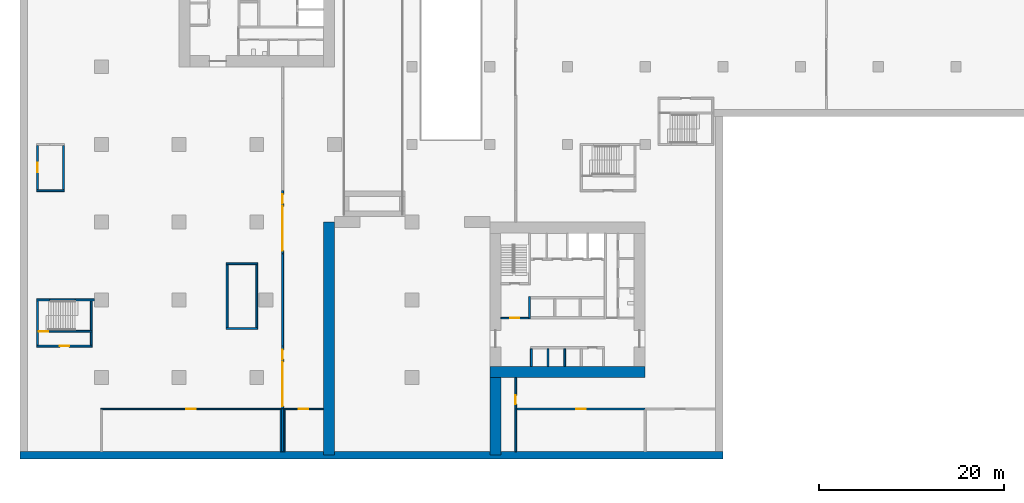
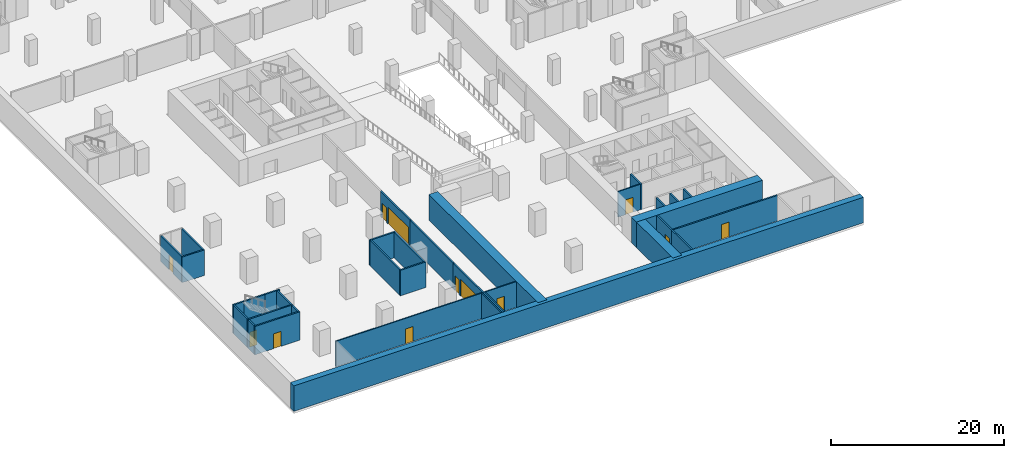
# One storey, part 3 of 18: 36 walls, 12 doors, 12 openings.
"""IFC4 building model written with IfcOpenShell, lengths in metres."""

from ifc_helpers import new_model, si_unit, direction, frame, frame_2d, origin, place, context, subcontext, project, spatial, rectangle, extrude, material, layer, layer_set, type_object, element, fill, save


model = new_model("IFC4")

# Units and contexts
model_context = context("Model", 3, precision=1e-05, world=origin(), true_north=direction((0.0, 1.0)))
body_context = subcontext(model_context, "Body", "Model", "MODEL_VIEW")
ifc_project = project(units=[si_unit("LENGTHUNIT", "METRE"), si_unit("AREAUNIT", "SQUARE_METRE"), si_unit("VOLUMEUNIT", "CUBIC_METRE"), si_unit("PLANEANGLEUNIT", "RADIAN"), si_unit("MASSUNIT", "GRAM", prefix="KILO")], contexts=[model_context])

# Site, building, storey
site_placement = place(None, origin())
site = spatial("IfcSite", under=ifc_project, at=site_placement, CompositionType="ELEMENT")
building_placement = place(site_placement, origin())
building = spatial("IfcBuilding", under=site, at=building_placement, Name="Vermilion Gate Residences", CompositionType="ELEMENT")
storey_placement = place(building_placement, frame((0.0, 0.0, -4.0)))
storey = spatial("IfcBuildingStorey", under=building, at=storey_placement, Name="B1", CompositionType="ELEMENT", Elevation=-4.0)

# Wall, opening, door
ifc_material_1 = material(Name="Masonry blockwork", Category="masonry")
ifc_layer_1 = layer(ifc_material_1, 0.14990234375)
ifc_layer_set_1 = layer_set([ifc_layer_1], Name="BLOCKWORK PARTITION 150 EI 120")
wall_type_1 = type_object("IfcWallType", Name="BLOCKWORK PARTITION 150 EI 120", PredefinedType="PARTITIONING", material=ifc_layer_set_1)
wall_1_placement = place(storey_placement, frame((43.199951171875, 14.824951171875, 0.0), z_axis=(0.0, 0.0, 1.0), x_axis=(1.0, 0.0, 0.0)))
wall_1 = element("IfcWall", 1, at=wall_1_placement, inside=storey, type_object=wall_type_1, Name="Core room partition AB1-VW-S", PredefinedType="PARTITIONING", context=body_context, shape_type="SweptSolid", body=[
    extrude(rectangle(XDim=3.0, YDim=0.14990234375, at=frame_2d((1.5, 0.0))), origin(), (0.0, 0.0, 1.0), 3.60009765625),
])
opening_1_placement = place(wall_1_placement, frame((1.0, 0.0, 0.0)))
opening_1 = element("IfcOpeningElement", 2, at=opening_1_placement, cuts=wall_1, Name="Opening DKB1008", PredefinedType="OPENING", context=body_context, shape_type="SweptSolid", body=[
    extrude(rectangle(XDim=1.0, YDim=2.10009765625, at=frame_2d((0.5, 1.050048828125))), frame((0.0, 0.0849609375, 0.0), z_axis=(0.0, -1.0, 0.0), x_axis=(1.0, 0.0, 0.0)), (0.0, 0.0, 1.0), 0.169921875),
])
ifc_material_2 = material(Name="Steel", Category="steel")
door_type_1 = type_object("IfcDoorType", Name="FIRE DOOR FD60 1000 X 2100", OperationType="SINGLE_SWING_LEFT", PredefinedType="DOOR", material=ifc_material_2)
door_1_placement = place(opening_1_placement, frame((1.0, 0.0, 0.0), z_axis=(0.0, 0.0, 1.0), x_axis=(-1.0, 0.0, 0.0)))
door_1 = element("IfcDoor", 3, at=door_1_placement, inside=storey, type_object=door_type_1, Name="Stair vestibule door AB1", OperationType="SINGLE_SWING_RIGHT", OverallHeight=2.10009765625, OverallWidth=1.0, PredefinedType="DOOR", context=body_context, shape_type="SweptSolid", body=[
    extrude(rectangle(XDim=1.0, YDim=2.10009765625, at=frame_2d((0.5, 1.050048828125))), frame((0.0, 0.02490234375, 0.0), z_axis=(0.0, -1.0, 0.0), x_axis=(1.0, 0.0, 0.0)), (0.0, 0.0, 1.0), 0.050048828125),
])
fill(opening_1, door_1)

ifc_material_3 = material(Name="Concrete blockwork", Category="masonry")
ifc_layer_2 = layer(ifc_material_3, 0.199951171875)
ifc_layer_set_2 = layer_set([ifc_layer_2], Name="FIRE WALL 200 EI 120 (AMENITY)")
wall_type_2 = type_object("IfcWallType", Name="FIRE WALL 200 EI 120 (AMENITY)", PredefinedType="PARTITIONING", material=ifc_layer_set_2)
wall_2_placement = place(storey_placement, frame((-6.89990234375, 28.699951171875, 0.0), z_axis=(0.0, 0.0, 1.0), x_axis=(0.0, 1.0, 0.0)))
wall_2 = element("IfcWall", 4, at=wall_2_placement, inside=storey, type_object=wall_type_2, Name="Fire-resisting wall 6", PredefinedType="PARTITIONING", context=body_context, shape_type="SweptSolid", body=[
    extrude(rectangle(XDim=4.800048828125, YDim=0.199951171875, at=frame_2d((2.39990234375, 0.0))), origin(), (0.0, 0.0, 1.0), 3.60009765625),
])
opening_2_placement = place(wall_2_placement, frame((1.89990234375, 0.0, 0.0)))
opening_2 = element("IfcOpeningElement", 5, at=opening_2_placement, cuts=wall_2, Name="Opening DMB1043", PredefinedType="OPENING", context=body_context, shape_type="SweptSolid", body=[
    extrude(rectangle(XDim=1.0, YDim=2.10009765625, at=frame_2d((0.5, 1.050048828125))), frame((0.0, 0.10986328125, 0.0), z_axis=(0.0, -1.0, 0.0), x_axis=(1.0, 0.0, 0.0)), (0.0, 0.0, 1.0), 0.219970703125),
])
ifc_material_4 = material(Name="Steel", Category="steel")
door_type_2 = type_object("IfcDoorType", Name="DOOR 1000 X 2100 FD60 (AMENITY)", OperationType="SINGLE_SWING_LEFT", PredefinedType="DOOR", material=ifc_material_4)
door_2_placement = place(opening_2_placement, origin())
door_2 = element("IfcDoor", 6, at=door_2_placement, inside=storey, type_object=door_type_2, Name="Door B1 43", OperationType="SINGLE_SWING_LEFT", OverallHeight=2.10009765625, OverallWidth=1.0, PredefinedType="DOOR", context=body_context, shape_type="SweptSolid", body=[
    extrude(rectangle(XDim=1.0, YDim=2.10009765625, at=frame_2d((0.5, 1.050048828125))), frame((0.0, 0.02490234375, 0.0), z_axis=(0.0, -1.0, 0.0), x_axis=(1.0, 0.0, 0.0)), (0.0, 0.0, 1.0), 0.050048828125),
])
fill(opening_2, door_2)

# Walls
wall_3_placement = place(storey_placement, frame((-7.0, 28.60009765625, 0.0), z_axis=(0.0, 0.0, 1.0), x_axis=(1.0, 0.0, 0.0)))
element("IfcWall", 7, at=wall_3_placement, inside=storey, type_object=wall_type_2, Name="Fire-resisting wall 7", PredefinedType="PARTITIONING", context=body_context, shape_type="SweptSolid", body=[
    extrude(rectangle(XDim=3.0, YDim=0.199951171875, at=frame_2d((1.5, 0.0))), origin(), (0.0, 0.0, 1.0), 3.60009765625),
])
wall_4_placement = place(storey_placement, frame((-4.10009765625, 28.699951171875, 0.0), z_axis=(0.0, 0.0, 1.0), x_axis=(0.0, 1.0, 0.0)))
element("IfcWall", 8, at=wall_4_placement, inside=storey, type_object=wall_type_2, Name="Fire-resisting wall 23", PredefinedType="PARTITIONING", context=body_context, shape_type="SweptSolid", body=[
    extrude(rectangle(XDim=4.800048828125, YDim=0.199951171875, at=frame_2d((2.39990234375, 0.0))), origin(), (0.0, 0.0, 1.0), 3.60009765625),
])

# Wall, opening, door
wall_5_placement = place(storey_placement, frame((44.89990234375, 5.0, 0.0), z_axis=(0.0, 0.0, 1.0), x_axis=(1.0, 0.0, 0.0)))
wall_5 = element("IfcWall", 9, at=wall_5_placement, inside=storey, type_object=wall_type_2, Name="Fire-resisting wall 65", PredefinedType="PARTITIONING", context=body_context, shape_type="SweptSolid", body=[
    extrude(rectangle(XDim=13.900146484375, YDim=0.199951171875, at=frame_2d((6.9501953125, 0.0))), origin(), (0.0, 0.0, 1.0), 3.60009765625),
])
opening_3_placement = place(wall_5_placement, frame((6.449951171875, 0.0, 0.0)))
opening_3 = element("IfcOpeningElement", 10, at=opening_3_placement, cuts=wall_5, Name="Opening DMB1003", PredefinedType="OPENING", context=body_context, shape_type="SweptSolid", body=[
    extrude(rectangle(XDim=1.0, YDim=2.10009765625, at=frame_2d((0.5, 1.050048828125))), frame((0.0, 0.10986328125, 0.0), z_axis=(0.0, -1.0, 0.0), x_axis=(1.0, 0.0, 0.0)), (0.0, 0.0, 1.0), 0.219970703125),
])
door_3_placement = place(opening_3_placement, origin())
door_3 = element("IfcDoor", 11, at=door_3_placement, inside=storey, type_object=door_type_2, Name="Door B1 3", OperationType="SINGLE_SWING_LEFT", OverallHeight=2.10009765625, OverallWidth=1.0, PredefinedType="DOOR", context=body_context, shape_type="SweptSolid", body=[
    extrude(rectangle(XDim=1.0, YDim=2.10009765625, at=frame_2d((0.5, 1.050048828125))), frame((0.0, 0.02490234375, 0.0), z_axis=(0.0, -1.0, 0.0), x_axis=(1.0, 0.0, 0.0)), (0.0, 0.0, 1.0), 0.050048828125),
])
fill(opening_3, door_3)

# Wall
ifc_material_5 = material(Name="Concrete blockwork", Category="masonry")
ifc_layer_3 = layer(ifc_material_5, 0.199951171875)
ifc_layer_set_3 = layer_set([ifc_layer_3], Name="GARAGE FIRE WALL 200 EI 120 (AMENITY)")
wall_type_3 = type_object("IfcWallType", Name="GARAGE FIRE WALL 200 EI 120 (AMENITY)", PredefinedType="PARTITIONING", material=ifc_layer_set_3)
wall_6_placement = place(storey_placement, frame((19.60009765625, 0.39990234375, 0.0), z_axis=(0.0, 0.0, 1.0), x_axis=(0.0, 1.0, 0.0)))
element("IfcWall", 12, at=wall_6_placement, inside=storey, type_object=wall_type_3, Name="Fire compartment wall", PredefinedType="PARTITIONING", context=body_context, shape_type="SweptSolid", body=[
    extrude(rectangle(XDim=4.60009765625, YDim=0.199951171875, at=frame_2d((2.300048828125, 0.0))), origin(), (0.0, 0.0, 1.0), 3.60009765625),
])

# Wall, openings, doors
wall_7_placement = place(storey_placement, frame((19.60009765625, 5.0, 0.0), z_axis=(0.0, 0.0, 1.0), x_axis=(0.0, 1.0, 0.0)))
wall_7 = element("IfcWall", 13, at=wall_7_placement, inside=storey, type_object=wall_type_3, Name="Fire compartment wall", PredefinedType="PARTITIONING", context=body_context, shape_type="SweptSolid", body=[
    extrude(rectangle(XDim=6.800048828125, YDim=0.199951171875, at=frame_2d((3.39990234375, 0.0))), origin(), (0.0, 0.0, 1.0), 3.60009765625),
])
opening_4_placement = place(wall_7_placement, frame((0.300048828125, 0.0, 0.0)))
opening_4 = element("IfcOpeningElement", 14, at=opening_4_placement, cuts=wall_7, Name="Opening DGB1001", PredefinedType="OPENING", context=body_context, shape_type="SweptSolid", body=[
    extrude(rectangle(XDim=4.800048828125, YDim=2.39990234375, at=frame_2d((2.39990234375, 1.199951171875))), frame((0.0, 0.10986328125, 0.0), z_axis=(0.0, -1.0, 0.0), x_axis=(1.0, 0.0, 0.0)), (0.0, 0.0, 1.0), 0.219970703125),
])
opening_5_placement = place(wall_7_placement, frame((5.39990234375, 0.0, 0.0)))
opening_5 = element("IfcOpeningElement", 15, at=opening_5_placement, cuts=wall_7, Name="Opening DGB1002", PredefinedType="OPENING", context=body_context, shape_type="SweptSolid", body=[
    extrude(rectangle(XDim=1.0, YDim=2.10009765625, at=frame_2d((0.5, 1.050048828125))), frame((0.0, 0.10986328125, 0.0), z_axis=(0.0, -1.0, 0.0), x_axis=(1.0, 0.0, 0.0)), (0.0, 0.0, 1.0), 0.219970703125),
])
ifc_material_6 = material(Name="Steel", Category="steel")
door_type_3 = type_object("IfcDoorType", Name="DOOR 1000 X 2100 FD120 (AMENITY)", OperationType="SINGLE_SWING_LEFT", PredefinedType="DOOR", material=ifc_material_6)
door_4_placement = place(opening_5_placement, origin())
door_4 = element("IfcDoor", 16, at=door_4_placement, inside=storey, type_object=door_type_3, Name="Fire door", OperationType="SINGLE_SWING_LEFT", OverallHeight=2.10009765625, OverallWidth=1.0, PredefinedType="DOOR", context=body_context, shape_type="SweptSolid", body=[
    extrude(rectangle(XDim=1.0, YDim=2.10009765625, at=frame_2d((0.5, 1.050048828125))), frame((0.0, 0.02490234375, 0.0), z_axis=(0.0, -1.0, 0.0), x_axis=(1.0, 0.0, 0.0)), (0.0, 0.0, 1.0), 0.050048828125),
])
fill(opening_5, door_4)
ifc_material_7 = material(Name="Steel", Category="steel")
door_type_4 = type_object("IfcDoorType", Name="FIRE SHUTTER 4800 X 2400 (AMENITY)", OperationType="ROLLINGUP", PredefinedType="GATE", material=ifc_material_7)
door_5_placement = place(opening_4_placement, origin())
door_5 = element("IfcDoor", 17, at=door_5_placement, inside=storey, type_object=door_type_4, Name="Fire shutter", OperationType="ROLLINGUP", OverallHeight=2.39990234375, OverallWidth=4.800048828125, PredefinedType="GATE", context=body_context, shape_type="SweptSolid", body=[
    extrude(rectangle(XDim=4.800048828125, YDim=2.39990234375, at=frame_2d((2.39990234375, 1.199951171875))), frame((0.0, 0.02490234375, 0.0), z_axis=(0.0, -1.0, 0.0), x_axis=(1.0, 0.0, 0.0)), (0.0, 0.0, 1.0), 0.050048828125),
])
fill(opening_4, door_5)

# Wall
wall_8_placement = place(storey_placement, frame((19.60009765625, 11.800048828125, 0.0), z_axis=(0.0, 0.0, 1.0), x_axis=(0.0, 1.0, 0.0)))
element("IfcWall", 18, at=wall_8_placement, inside=storey, type_object=wall_type_3, Name="Fire compartment wall", PredefinedType="PARTITIONING", context=body_context, shape_type="SweptSolid", body=[
    extrude(rectangle(XDim=10.0, YDim=0.199951171875, at=frame_2d((5.0, 0.0))), origin(), (0.0, 0.0, 1.0), 3.60009765625),
])

# Wall, openings, doors
wall_9_placement = place(storey_placement, frame((19.60009765625, 21.800048828125, 0.0), z_axis=(0.0, 0.0, 1.0), x_axis=(0.0, 1.0, 0.0)))
wall_9 = element("IfcWall", 19, at=wall_9_placement, inside=storey, type_object=wall_type_3, Name="Fire compartment wall", PredefinedType="PARTITIONING", context=body_context, shape_type="SweptSolid", body=[
    extrude(rectangle(XDim=6.800048828125, YDim=0.199951171875, at=frame_2d((3.39990234375, 0.0))), origin(), (0.0, 0.0, 1.0), 3.60009765625),
])
opening_6_placement = place(wall_9_placement, frame((0.300048828125, 0.0, 0.0)))
opening_6 = element("IfcOpeningElement", 20, at=opening_6_placement, cuts=wall_9, Name="Opening DGB1003", PredefinedType="OPENING", context=body_context, shape_type="SweptSolid", body=[
    extrude(rectangle(XDim=4.800048828125, YDim=2.39990234375, at=frame_2d((2.39990234375, 1.199951171875))), frame((0.0, 0.10986328125, 0.0), z_axis=(0.0, -1.0, 0.0), x_axis=(1.0, 0.0, 0.0)), (0.0, 0.0, 1.0), 0.219970703125),
])
opening_7_placement = place(wall_9_placement, frame((5.39990234375, 0.0, 0.0)))
opening_7 = element("IfcOpeningElement", 21, at=opening_7_placement, cuts=wall_9, Name="Opening DGB1004", PredefinedType="OPENING", context=body_context, shape_type="SweptSolid", body=[
    extrude(rectangle(XDim=1.0, YDim=2.10009765625, at=frame_2d((0.5, 1.050048828125))), frame((0.0, 0.10986328125, 0.0), z_axis=(0.0, -1.0, 0.0), x_axis=(1.0, 0.0, 0.0)), (0.0, 0.0, 1.0), 0.219970703125),
])
door_6_placement = place(opening_7_placement, origin())
door_6 = element("IfcDoor", 22, at=door_6_placement, inside=storey, type_object=door_type_3, Name="Fire door", OperationType="SINGLE_SWING_LEFT", OverallHeight=2.10009765625, OverallWidth=1.0, PredefinedType="DOOR", context=body_context, shape_type="SweptSolid", body=[
    extrude(rectangle(XDim=1.0, YDim=2.10009765625, at=frame_2d((0.5, 1.050048828125))), frame((0.0, 0.02490234375, 0.0), z_axis=(0.0, -1.0, 0.0), x_axis=(1.0, 0.0, 0.0)), (0.0, 0.0, 1.0), 0.050048828125),
])
fill(opening_7, door_6)
door_7_placement = place(opening_6_placement, origin())
door_7 = element("IfcDoor", 23, at=door_7_placement, inside=storey, type_object=door_type_4, Name="Fire shutter", OperationType="ROLLINGUP", OverallHeight=2.39990234375, OverallWidth=4.800048828125, PredefinedType="GATE", context=body_context, shape_type="SweptSolid", body=[
    extrude(rectangle(XDim=4.800048828125, YDim=2.39990234375, at=frame_2d((2.39990234375, 1.199951171875))), frame((0.0, 0.02490234375, 0.0), z_axis=(0.0, -1.0, 0.0), x_axis=(1.0, 0.0, 0.0)), (0.0, 0.0, 1.0), 0.050048828125),
])
fill(opening_6, door_7)

# Wall
wall_10_placement = place(storey_placement, frame((44.800048828125, 0.39990234375, 0.0), z_axis=(0.0, 0.0, 1.0), x_axis=(0.0, 1.0, 0.0)))
element("IfcWall", 24, at=wall_10_placement, inside=storey, type_object=wall_type_3, Name="Fire compartment wall", PredefinedType="PARTITIONING", context=body_context, shape_type="SweptSolid", body=[
    extrude(rectangle(XDim=4.60009765625, YDim=0.199951171875, at=frame_2d((2.300048828125, 0.0))), origin(), (0.0, 0.0, 1.0), 3.60009765625),
])

# Wall, opening, door
wall_11_placement = place(storey_placement, frame((44.800048828125, 5.0, 0.0), z_axis=(0.0, 0.0, 1.0), x_axis=(0.0, 1.0, 0.0)))
wall_11 = element("IfcWall", 25, at=wall_11_placement, inside=storey, type_object=wall_type_3, Name="Fire compartment wall", PredefinedType="PARTITIONING", context=body_context, shape_type="SweptSolid", body=[
    extrude(rectangle(XDim=3.39990234375, YDim=0.199951171875, at=frame_2d((1.699951171875, 0.0))), origin(), (0.0, 0.0, 1.0), 3.60009765625),
])
opening_8_placement = place(wall_11_placement, frame((0.5, 0.0, 0.0)))
opening_8 = element("IfcOpeningElement", 26, at=opening_8_placement, cuts=wall_11, Name="Opening DGB1090", PredefinedType="OPENING", context=body_context, shape_type="SweptSolid", body=[
    extrude(rectangle(XDim=1.0, YDim=2.10009765625, at=frame_2d((0.5, 1.050048828125))), frame((0.0, 0.10986328125, 0.0), z_axis=(0.0, -1.0, 0.0), x_axis=(1.0, 0.0, 0.0)), (0.0, 0.0, 1.0), 0.219970703125),
])
door_8_placement = place(opening_8_placement, origin())
door_8 = element("IfcDoor", 27, at=door_8_placement, inside=storey, type_object=door_type_3, Name="Fire door", OperationType="SINGLE_SWING_RIGHT", OverallHeight=2.10009765625, OverallWidth=1.0, PredefinedType="DOOR", context=body_context, shape_type="SweptSolid", body=[
    extrude(rectangle(XDim=1.0, YDim=2.10009765625, at=frame_2d((0.5, 1.050048828125))), frame((0.0, 0.02490234375, 0.0), z_axis=(0.0, -1.0, 0.0), x_axis=(1.0, 0.0, 0.0)), (0.0, 0.0, 1.0), 0.050048828125),
])
fill(opening_8, door_8)

ifc_material_8 = material(Name="Gypsum board on steel studs", Category="steel")
ifc_layer_4 = layer(ifc_material_8, 0.14990234375)
ifc_layer_set_4 = layer_set([ifc_layer_4], Name="PARTITION 150 EI 60 (AMENITY)")
wall_type_4 = type_object("IfcWallType", Name="PARTITION 150 EI 60 (AMENITY)", PredefinedType="PARTITIONING", material=ifc_layer_set_4)
wall_12_placement = place(storey_placement, frame((-0.074951171875, 5.0, 0.0), z_axis=(0.0, 0.0, 1.0), x_axis=(1.0, 0.0, 0.0)))
wall_12 = element("IfcWall", 28, at=wall_12_placement, inside=storey, type_object=wall_type_4, Name="Partition 34", PredefinedType="PARTITIONING", context=body_context, shape_type="SweptSolid", body=[
    extrude(rectangle(XDim=19.550048828125, YDim=0.14990234375, at=frame_2d((9.77490234375, 0.0))), origin(), (0.0, 0.0, 1.0), 3.60009765625),
])
opening_9_placement = place(wall_12_placement, frame((9.27490234375, 0.0, 0.0)))
opening_9 = element("IfcOpeningElement", 29, at=opening_9_placement, cuts=wall_12, Name="Opening DMB1001", PredefinedType="OPENING", context=body_context, shape_type="SweptSolid", body=[
    extrude(rectangle(XDim=1.0, YDim=2.10009765625, at=frame_2d((0.5, 1.050048828125))), frame((0.0, 0.0849609375, 0.0), z_axis=(0.0, -1.0, 0.0), x_axis=(1.0, 0.0, 0.0)), (0.0, 0.0, 1.0), 0.169921875),
])
ifc_material_9 = material(Name="Steel", Category="steel")
door_type_5 = type_object("IfcDoorType", Name="DOOR 1000 X 2100 FD30 (AMENITY)", OperationType="SINGLE_SWING_LEFT", PredefinedType="DOOR", material=ifc_material_9)
door_9_placement = place(opening_9_placement, frame((1.0, 0.0, 0.0), z_axis=(0.0, 0.0, 1.0), x_axis=(-1.0, 0.0, 0.0)))
door_9 = element("IfcDoor", 30, at=door_9_placement, inside=storey, type_object=door_type_5, Name="Door B1 1", OperationType="SINGLE_SWING_RIGHT", OverallHeight=2.10009765625, OverallWidth=1.0, PredefinedType="DOOR", context=body_context, shape_type="SweptSolid", body=[
    extrude(rectangle(XDim=1.0, YDim=2.10009765625, at=frame_2d((0.5, 1.050048828125))), frame((0.0, 0.02490234375, 0.0), z_axis=(0.0, -1.0, 0.0), x_axis=(1.0, 0.0, 0.0)), (0.0, 0.0, 1.0), 0.050048828125),
])
fill(opening_9, door_9)

# Walls
for number, where, z_axis, x_axis, name in (
    (31, (19.39990234375, 0.39990234375, 0.0), (0.0, 0.0, 1.0), (0.0, 1.0, 0.0), "Partition 49"),
    (32, (19.800048828125, 0.39990234375, 0.0), (0.0, 0.0, 1.0), (0.0, 1.0, 0.0), "Partition 50"),
):
    element("IfcWall", number, at=place(storey_placement, frame(where, z_axis=z_axis, x_axis=x_axis)), inside=storey, type_object=wall_type_4, Name=name, PredefinedType="PARTITIONING", context=body_context, shape_type="SweptSolid", body=[
        extrude(rectangle(XDim=4.525146484375, YDim=0.14990234375, at=frame_2d((2.2626953125, 0.0))), origin(), (0.0, 0.0, 1.0), 3.60009765625),
    ])

# Wall, opening, door
wall_13_placement = place(storey_placement, frame((19.72509765625, 5.0, 0.0), z_axis=(0.0, 0.0, 1.0), x_axis=(1.0, 0.0, 0.0)))
wall_13 = element("IfcWall", 33, at=wall_13_placement, inside=storey, type_object=wall_type_4, Name="Partition 51", PredefinedType="PARTITIONING", context=body_context, shape_type="SweptSolid", body=[
    extrude(rectangle(XDim=4.27490234375, YDim=0.14990234375, at=frame_2d((2.137451171875, 0.0))), origin(), (0.0, 0.0, 1.0), 3.60009765625),
])
opening_10_placement = place(wall_13_placement, frame((1.637451171875, 0.0, 0.0)))
opening_10 = element("IfcOpeningElement", 34, at=opening_10_placement, cuts=wall_13, Name="Opening DMB1002", PredefinedType="OPENING", context=body_context, shape_type="SweptSolid", body=[
    extrude(rectangle(XDim=1.0, YDim=2.10009765625, at=frame_2d((0.5, 1.050048828125))), frame((0.0, 0.0849609375, 0.0), z_axis=(0.0, -1.0, 0.0), x_axis=(1.0, 0.0, 0.0)), (0.0, 0.0, 1.0), 0.169921875),
])
door_10_placement = place(opening_10_placement, frame((1.0, 0.0, 0.0), z_axis=(0.0, 0.0, 1.0), x_axis=(-1.0, 0.0, 0.0)))
door_10 = element("IfcDoor", 35, at=door_10_placement, inside=storey, type_object=door_type_5, Name="Door B1 2", OperationType="SINGLE_SWING_RIGHT", OverallHeight=2.10009765625, OverallWidth=1.0, PredefinedType="DOOR", context=body_context, shape_type="SweptSolid", body=[
    extrude(rectangle(XDim=1.0, YDim=2.10009765625, at=frame_2d((0.5, 1.050048828125))), frame((0.0, 0.02490234375, 0.0), z_axis=(0.0, -1.0, 0.0), x_axis=(1.0, 0.0, 0.0)), (0.0, 0.0, 1.0), 0.050048828125),
])
fill(opening_10, door_10)

# Walls
ifc_material_10 = material(Name="Concrete C60", Category="concrete")
ifc_layer_5 = layer(ifc_material_10, 0.199951171875)
ifc_layer_set_5 = layer_set([ifc_layer_5], Name="RC CORE INTERNAL WALL 200 C60")
wall_type_5 = type_object("IfcWallType", Name="RC CORE INTERNAL WALL 200 C60", PredefinedType="SHEAR", material=ifc_layer_set_5)
for number, where, z_axis, x_axis, name in (
    (36, (46.5, 9.60009765625, 0.0), (0.0, 0.0, 1.0), (0.0, 1.0, 0.0), "Core internal wall AB1-LR-D0"),
    (37, (48.300048828125, 9.60009765625, 0.0), (0.0, 0.0, 1.0), (0.0, 1.0, 0.0), "Core internal wall AB1-LR-D1"),
    (38, (50.10009765625, 9.60009765625, 0.0), (0.0, 0.0, 1.0), (0.0, 1.0, 0.0), "Core internal wall AB1-LR-D2"),
):
    element("IfcWall", number, at=place(storey_placement, frame(where, z_axis=z_axis, x_axis=x_axis)), inside=storey, type_object=wall_type_5, Name=name, PredefinedType="SHEAR", context=body_context, shape_type="SweptSolid", body=[
        extrude(rectangle(XDim=1.89990234375, YDim=0.199951171875, at=frame_2d((0.949951171875, 0.0))), origin(), (0.0, 0.0, 1.0), 3.60009765625),
    ])
wall_14_placement = place(storey_placement, frame((46.300048828125, 14.75, 0.0), z_axis=(0.0, 0.0, 1.0), x_axis=(0.0, 1.0, 0.0)))
element("IfcWall", 39, at=wall_14_placement, inside=storey, type_object=wall_type_5, Name="Core internal wall AB1-WDIV1", PredefinedType="SHEAR", context=body_context, shape_type="SweptSolid", body=[
    extrude(rectangle(XDim=2.39990234375, YDim=0.199951171875, at=frame_2d((1.199951171875, 0.0))), origin(), (0.0, 0.0, 1.0), 3.60009765625),
])
for number, where, z_axis, x_axis, name in (
    (40, (13.60009765625, 13.800048828125, 0.0), (0.0, 0.0, 1.0), (0.0, 1.0, 0.0), "Apex stair wall W B1"),
    (41, (16.800048828125, 13.800048828125, 0.0), (0.0, 0.0, 1.0), (0.0, 1.0, 0.0), "Apex stair wall E B1"),
):
    element("IfcWall", number, at=place(storey_placement, frame(where, z_axis=z_axis, x_axis=x_axis)), inside=storey, type_object=wall_type_5, Name=name, PredefinedType="SHEAR", context=body_context, shape_type="SweptSolid", body=[
        extrude(rectangle(XDim=6.800048828125, YDim=0.199951171875, at=frame_2d((3.39990234375, 0.0))), origin(), (0.0, 0.0, 1.0), 3.60009765625),
    ])
for number, where, z_axis, x_axis, name in (
    (42, (13.5, 13.699951171875, 0.0), (0.0, 0.0, 1.0), (1.0, 0.0, 0.0), "Apex stair wall S B1"),
    (43, (13.5, 20.699951171875, 0.0), (0.0, 0.0, 1.0), (1.0, 0.0, 0.0), "Apex stair wall N B1"),
):
    element("IfcWall", number, at=place(storey_placement, frame(where, z_axis=z_axis, x_axis=x_axis)), inside=storey, type_object=wall_type_5, Name=name, PredefinedType="SHEAR", context=body_context, shape_type="SweptSolid", body=[
        extrude(rectangle(XDim=3.39990234375, YDim=0.199951171875, at=frame_2d((1.699951171875, 0.0))), origin(), (0.0, 0.0, 1.0), 3.60009765625),
    ])
ifc_material_11 = material(Name="Concrete C80", Category="concrete")
ifc_layer_6 = layer(ifc_material_11, 1.199951171875)
ifc_layer_set_6 = layer_set([ifc_layer_6], Name="RC CORE WALL 1200 C80")
wall_type_6 = type_object("IfcWallType", Name="RC CORE WALL 1200 C80", PredefinedType="SHEAR", material=ifc_layer_set_6)
wall_15_placement = place(storey_placement, frame((42.0, 9.0, 0.0), z_axis=(0.0, 0.0, 1.0), x_axis=(1.0, 0.0, 0.0)))
element("IfcWall", 44, at=wall_15_placement, inside=storey, type_object=wall_type_6, Name="Core wall AB1-OUT-B0", PredefinedType="SHEAR", context=body_context, shape_type="SweptSolid", body=[
    extrude(rectangle(XDim=16.800048828125, YDim=1.199951171875, at=frame_2d((8.39990234375, 0.0))), origin(), (0.0, 0.0, 1.0), 3.60009765625),
])
ifc_material_12 = material(Name="Concrete C40", Category="concrete")
ifc_layer_7 = layer(ifc_material_12, 0.800048828125)
ifc_layer_set_7 = layer_set([ifc_layer_7], Name="RC DIAPHRAGM WALL 800 C40")
wall_type_7 = type_object("IfcWallType", Name="RC DIAPHRAGM WALL 800 C40", PredefinedType="SOLIDWALL", material=ifc_layer_set_7)
wall_16_placement = place(storey_placement, frame((-8.800048828125, 0.0, 0.0), z_axis=(0.0, 0.0, 1.0), x_axis=(1.0, 0.0, 0.0)))
element("IfcWall", 45, at=wall_16_placement, inside=storey, type_object=wall_type_7, Name="Diaphragm wall B1 1", PredefinedType="SOLIDWALL", context=body_context, shape_type="SweptSolid", body=[
    extrude(rectangle(XDim=76.0, YDim=0.800048828125, at=frame_2d((38.0, 0.0))), origin(), (0.0, 0.0, 1.0), 3.60009765625),
])
ifc_material_13 = material(Name="Concrete C70", Category="concrete")
ifc_layer_8 = layer(ifc_material_13, 1.199951171875)
ifc_layer_set_8 = layer_set([ifc_layer_8], Name="RC GATE PIER WALL 1200 C70")
wall_type_8 = type_object("IfcWallType", Name="RC GATE PIER WALL 1200 C70", PredefinedType="SHEAR", material=ifc_layer_set_8)
wall_17_placement = place(storey_placement, frame((24.60009765625, 0.0, 0.0), z_axis=(0.0, 0.0, 1.0), x_axis=(0.0, 1.0, 0.0)))
element("IfcWall", 46, at=wall_17_placement, inside=storey, type_object=wall_type_8, Name="Gate pier wall W B1", PredefinedType="SHEAR", context=body_context, shape_type="SweptSolid", body=[
    extrude(rectangle(XDim=25.199951171875, YDim=1.199951171875, at=frame_2d((12.60009765625, 0.0))), origin(), (0.0, 0.0, 1.0), 3.60009765625),
])
wall_18_placement = place(storey_placement, frame((42.60009765625, 0.0, 0.0), z_axis=(0.0, 0.0, 1.0), x_axis=(0.0, 1.0, 0.0)))
element("IfcWall", 47, at=wall_18_placement, inside=storey, type_object=wall_type_8, Name="Gate pier wall E B1", PredefinedType="SHEAR", context=body_context, shape_type="SweptSolid", body=[
    extrude(rectangle(XDim=8.39990234375, YDim=1.199951171875, at=frame_2d((4.199951171875, 0.0))), origin(), (0.0, 0.0, 1.0), 3.60009765625),
])
ifc_material_14 = material(Name="Concrete C40", Category="concrete")
ifc_layer_9 = layer(ifc_material_14, 0.199951171875)
ifc_layer_set_9 = layer_set([ifc_layer_9], Name="RC STAIR AND SHAFT WALL 200 EI 180 C40 (AMENITY)")
wall_type_9 = type_object("IfcWallType", Name="RC STAIR AND SHAFT WALL 200 EI 180 C40 (AMENITY)", PredefinedType="SOLIDWALL", material=ifc_layer_set_9)
wall_19_placement = place(storey_placement, frame((-6.89990234375, 11.89990234375, 0.0), z_axis=(0.0, 0.0, 1.0), x_axis=(0.0, 1.0, 0.0)))
element("IfcWall", 48, at=wall_19_placement, inside=storey, type_object=wall_type_9, Name="Stair and shaft wall 1", PredefinedType="SOLIDWALL", context=body_context, shape_type="SweptSolid", body=[
    extrude(rectangle(XDim=1.400146484375, YDim=0.199951171875, at=frame_2d((0.7001953125, 0.0))), origin(), (0.0, 0.0, 1.0), 4.0),
])

# Wall, opening, door
wall_20_placement = place(storey_placement, frame((-7.0, 11.800048828125, 0.0), z_axis=(0.0, 0.0, 1.0), x_axis=(1.0, 0.0, 0.0)))
wall_20 = element("IfcWall", 49, at=wall_20_placement, inside=storey, type_object=wall_type_9, Name="Stair and shaft wall 2", PredefinedType="SOLIDWALL", context=body_context, shape_type="SweptSolid", body=[
    extrude(rectangle(XDim=6.0, YDim=0.199951171875, at=frame_2d((3.0, 0.0))), origin(), (0.0, 0.0, 1.0), 4.0),
])
opening_11_placement = place(wall_20_placement, frame((2.5, 0.0, 0.0)))
opening_11 = element("IfcOpeningElement", 50, at=opening_11_placement, cuts=wall_20, Name="Opening DMB1005", PredefinedType="OPENING", context=body_context, shape_type="SweptSolid", body=[
    extrude(rectangle(XDim=1.0, YDim=2.10009765625, at=frame_2d((0.5, 1.050048828125))), frame((0.0, 0.10986328125, 0.0), z_axis=(0.0, -1.0, 0.0), x_axis=(1.0, 0.0, 0.0)), (0.0, 0.0, 1.0), 0.219970703125),
])
door_11_placement = place(opening_11_placement, frame((1.0, 0.0, 0.0), z_axis=(0.0, 0.0, 1.0), x_axis=(-1.0, 0.0, 0.0)))
door_11 = element("IfcDoor", 51, at=door_11_placement, inside=storey, type_object=door_type_2, Name="Door B1 5", OperationType="SINGLE_SWING_RIGHT", OverallHeight=2.10009765625, OverallWidth=1.0, PredefinedType="DOOR", context=body_context, shape_type="SweptSolid", body=[
    extrude(rectangle(XDim=1.0, YDim=2.10009765625, at=frame_2d((0.5, 1.050048828125))), frame((0.0, 0.02490234375, 0.0), z_axis=(0.0, -1.0, 0.0), x_axis=(1.0, 0.0, 0.0)), (0.0, 0.0, 1.0), 0.050048828125),
])
fill(opening_11, door_11)

# Wall
wall_21_placement = place(storey_placement, frame((-6.89990234375, 13.5, 0.0), z_axis=(0.0, 0.0, 1.0), x_axis=(0.0, 1.0, 0.0)))
element("IfcWall", 52, at=wall_21_placement, inside=storey, type_object=wall_type_9, Name="Stair and shaft wall 3", PredefinedType="SOLIDWALL", context=body_context, shape_type="SweptSolid", body=[
    extrude(rectangle(XDim=3.199951171875, YDim=0.199951171875, at=frame_2d((1.60009765625, 0.0))), origin(), (0.0, 0.0, 1.0), 4.0),
])

# Wall, opening, door
wall_22_placement = place(storey_placement, frame((-7.0, 13.39990234375, 0.0), z_axis=(0.0, 0.0, 1.0), x_axis=(1.0, 0.0, 0.0)))
wall_22 = element("IfcWall", 53, at=wall_22_placement, inside=storey, type_object=wall_type_9, Name="Stair and shaft wall 4", PredefinedType="SOLIDWALL", context=body_context, shape_type="SweptSolid", body=[
    extrude(rectangle(XDim=6.0, YDim=0.199951171875, at=frame_2d((3.0, 0.0))), origin(), (0.0, 0.0, 1.0), 4.0),
])
opening_12_placement = place(wall_22_placement, frame((0.25, 0.0, 0.0)))
opening_12 = element("IfcOpeningElement", 54, at=opening_12_placement, cuts=wall_22, Name="Opening DMB1006", PredefinedType="OPENING", context=body_context, shape_type="SweptSolid", body=[
    extrude(rectangle(XDim=1.0, YDim=2.10009765625, at=frame_2d((0.5, 1.050048828125))), frame((0.0, 0.10986328125, 0.0), z_axis=(0.0, -1.0, 0.0), x_axis=(1.0, 0.0, 0.0)), (0.0, 0.0, 1.0), 0.219970703125),
])
door_12_placement = place(opening_12_placement, origin())
door_12 = element("IfcDoor", 55, at=door_12_placement, inside=storey, type_object=door_type_2, Name="Door B1 6", OperationType="SINGLE_SWING_RIGHT", OverallHeight=2.10009765625, OverallWidth=1.0, PredefinedType="DOOR", context=body_context, shape_type="SweptSolid", body=[
    extrude(rectangle(XDim=1.0, YDim=2.10009765625, at=frame_2d((0.5, 1.050048828125))), frame((0.0, 0.02490234375, 0.0), z_axis=(0.0, -1.0, 0.0), x_axis=(1.0, 0.0, 0.0)), (0.0, 0.0, 1.0), 0.050048828125),
])
fill(opening_12, door_12)

# Walls
wall_23_placement = place(storey_placement, frame((-7.0, 16.800048828125, 0.0), z_axis=(0.0, 0.0, 1.0), x_axis=(1.0, 0.0, 0.0)))
element("IfcWall", 56, at=wall_23_placement, inside=storey, type_object=wall_type_9, Name="Stair and shaft wall 5", PredefinedType="SOLIDWALL", context=body_context, shape_type="SweptSolid", body=[
    extrude(rectangle(XDim=1.39990234375, YDim=0.199951171875, at=frame_2d((0.699951171875, 0.0))), origin(), (0.0, 0.0, 1.0), 4.0),
])
wall_24_placement = place(storey_placement, frame((-5.60009765625, 16.800048828125, 0.0), z_axis=(0.0, 0.0, 1.0), x_axis=(1.0, 0.0, 0.0)))
element("IfcWall", 57, at=wall_24_placement, inside=storey, type_object=wall_type_9, Name="Stair and shaft wall 19", PredefinedType="SOLIDWALL", context=body_context, shape_type="SweptSolid", body=[
    extrude(rectangle(XDim=2.800048828125, YDim=0.199951171875, at=frame_2d((1.39990234375, 0.0))), origin(), (0.0, 0.0, 1.0), 4.0),
])
wall_25_placement = place(storey_placement, frame((-2.800048828125, 16.800048828125, 0.0), z_axis=(0.0, 0.0, 1.0), x_axis=(1.0, 0.0, 0.0)))
element("IfcWall", 58, at=wall_25_placement, inside=storey, type_object=wall_type_9, Name="Stair and shaft wall 24", PredefinedType="SOLIDWALL", context=body_context, shape_type="SweptSolid", body=[
    extrude(rectangle(XDim=2.050048828125, YDim=0.199951171875, at=frame_2d((1.02490234375, 0.0))), origin(), (0.0, 0.0, 1.0), 4.0),
])
wall_26_placement = place(storey_placement, frame((-1.10009765625, 11.89990234375, 0.0), z_axis=(0.0, 0.0, 1.0), x_axis=(0.0, 1.0, 0.0)))
element("IfcWall", 59, at=wall_26_placement, inside=storey, type_object=wall_type_9, Name="Stair and shaft wall 27", PredefinedType="SOLIDWALL", context=body_context, shape_type="SweptSolid", body=[
    extrude(rectangle(XDim=1.400146484375, YDim=0.199951171875, at=frame_2d((0.7001953125, 0.0))), origin(), (0.0, 0.0, 1.0), 4.0),
])
wall_27_placement = place(storey_placement, frame((-1.10009765625, 13.5, 0.0), z_axis=(0.0, 0.0, 1.0), x_axis=(0.0, 1.0, 0.0)))
element("IfcWall", 60, at=wall_27_placement, inside=storey, type_object=wall_type_9, Name="Stair and shaft wall 28", PredefinedType="SOLIDWALL", context=body_context, shape_type="SweptSolid", body=[
    extrude(rectangle(XDim=3.199951171875, YDim=0.199951171875, at=frame_2d((1.60009765625, 0.0))), origin(), (0.0, 0.0, 1.0), 4.0),
])

save(model, "model.ifc")
